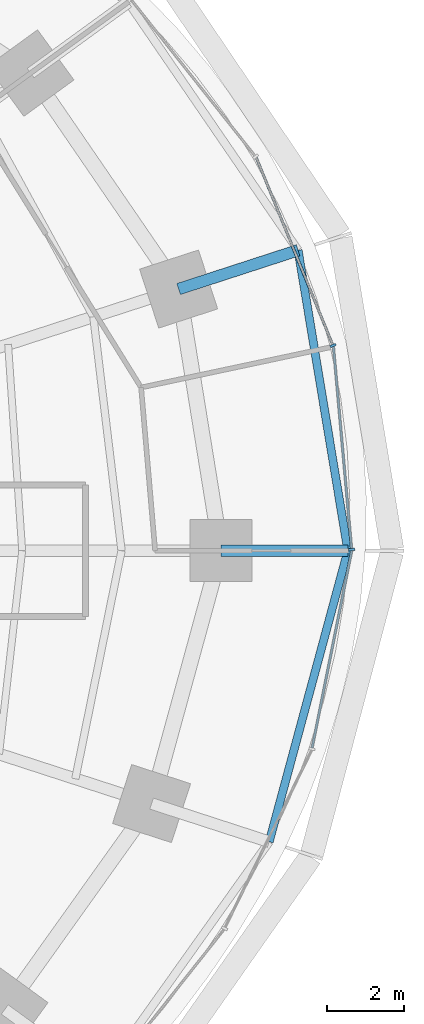
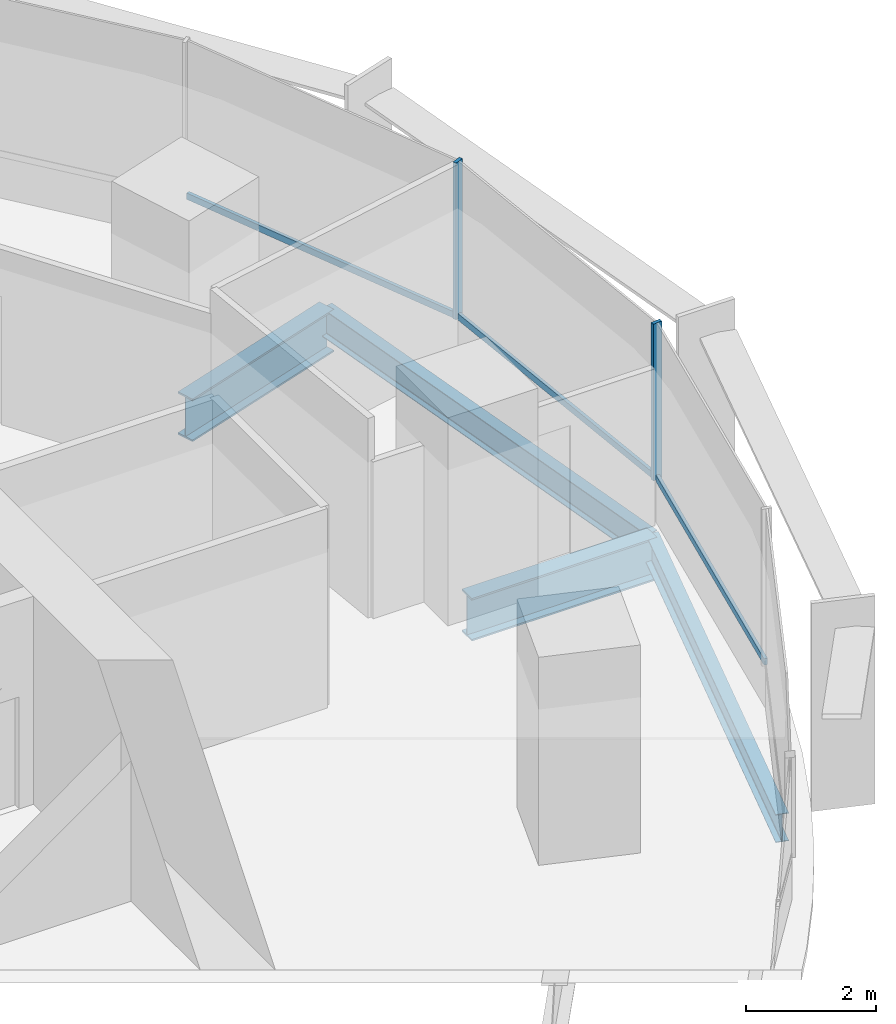
# One storey, part 6 of 14: 5 members, 4 beams, 2 elements without a shape of their own.
"""IFC4 building model written with IfcOpenShell, lengths in metres."""

from ifc_helpers import new_model, si_unit, direction, frame, origin, origin_2d, place, context, subcontext, project, spatial, rectangle, i_section, extrude, material, material_profile, profile_set, type_object, element, aggregate, save


model = new_model("IFC4")

# Units and contexts
model_context = context("Model", 3, precision=1e-05, world=origin(), true_north=direction((0.0, 1.0)))
body_context = subcontext(model_context, "Body", "Model", "MODEL_VIEW")
ifc_project = project(units=[si_unit("LENGTHUNIT", "METRE"), si_unit("AREAUNIT", "SQUARE_METRE"), si_unit("VOLUMEUNIT", "CUBIC_METRE"), si_unit("PLANEANGLEUNIT", "RADIAN"), si_unit("MASSUNIT", "GRAM", prefix="KILO")], contexts=[model_context])

# Site, building, storey
site_placement = place(None, origin())
site = spatial("IfcSite", under=ifc_project, at=site_placement, CompositionType="ELEMENT")
building_placement = place(site_placement, origin())
building = spatial("IfcBuilding", under=site, at=building_placement, Name="Marramba Exchange Tower", CompositionType="ELEMENT")
storey_placement = place(building_placement, frame((0.0, 0.0, 100.199951171875)))
storey = spatial("IfcBuildingStorey", under=building, at=storey_placement, Name="L23", CompositionType="ELEMENT", Elevation=100.199951171875)

# Beams
ifc_material_1 = material(Name="Steel AS/NZS 3679.2 grade 300", Category="steel")
ifc_material_profile_1 = material_profile(ifc_material_1, i_section(OverallWidth=0.300048828125, OverallDepth=0.800048828125, WebThickness=0.013916015625, FlangeThickness=0.031982421875, at=origin_2d()), Name="800WB192")
ifc_profile_set_1 = profile_set([ifc_material_profile_1], Name="Steel AS/NZS 3679.2 grade 300")
beam_type_1 = type_object("IfcBeamType", Name="Cantilever girder 800WB192", PredefinedType="BEAM", material=ifc_profile_set_1)
beam_1_placement = place(storey_placement, frame((21.89990234375, 0.0, -0.56005859375), z_axis=(1.0, 0.0, 0.0), x_axis=(0.0, 1.0, 0.0)))
element("IfcBeam", 1, at=beam_1_placement, inside=storey, type_object=beam_type_1, Name="Cantilever girder L23 TC01", PredefinedType="BEAM", context=body_context, shape_type="SweptSolid", body=[
    extrude(i_section(OverallWidth=0.300048828125, OverallDepth=0.800048828125, WebThickness=0.013916015625, FlangeThickness=0.031982421875, at=origin_2d()), origin(), (0.0, 0.0, 1.0), 3.281982421875),
])
beam_2_placement = place(storey_placement, frame((20.808349609375, 6.760986328125, -0.56005859375), z_axis=(0.95105562578, 0.309019735087, 0.0), x_axis=(-0.309019735087, 0.95105562578, 0.0)))
element("IfcBeam", 2, at=beam_2_placement, inside=storey, type_object=beam_type_1, Name="Cantilever girder L23 TC02", PredefinedType="BEAM", context=body_context, shape_type="SweptSolid", body=[
    extrude(i_section(OverallWidth=0.300048828125, OverallDepth=0.800048828125, WebThickness=0.013916015625, FlangeThickness=0.031982421875, at=origin_2d()), origin(), (0.0, 0.0, 1.0), 3.24560546875),
])

# Curtain wall, members
ifc_material_2 = material(Name="Aluminium framing, bronze anodised", Category="aluminium")
curtain_wall_type = type_object("IfcCurtainWallType", Name="Office ribbon curtain wall", PredefinedType="USERDEFINED", material=ifc_material_2)
curtain_wall_1_placement = place(storey_placement, origin())
curtain_wall_1 = element("IfcCurtainWall", 3, at=curtain_wall_1_placement, inside=storey, type_object=curtain_wall_type, Name="Curtain wall CW4 L23 F01-F05", ObjectType="RIBBON CURTAIN WALL", PredefinedType="USERDEFINED")
ifc_material_3 = material(Name="Aluminium mullion, bronze anodised", Category="aluminium")
ifc_material_profile_2 = material_profile(ifc_material_3, rectangle(XDim=0.159912109375, YDim=0.06005859375, at=origin_2d()), Name="CW4 mullion 60x160")
ifc_profile_set_2 = profile_set([ifc_material_profile_2], Name="Aluminium mullion, bronze anodised")
member_type_1 = type_object("IfcMemberType", Name="Office ribbon curtain wall mullion", PredefinedType="MULLION", material=ifc_profile_set_2)
member_1_placement = place(storey_placement, frame((25.279296875, 0.02978515625, 0.800048828125), z_axis=(0.0, 0.0, 1.0), x_axis=(-0.995994646311, -0.089412887889, 0.0)))
member_1 = element("IfcMember", 4, at=member_1_placement, type_object=member_type_1, Name="CW4 mullion 1", PredefinedType="MULLION", context=body_context, shape_type="SweptSolid", body=[
    extrude(rectangle(XDim=0.159912109375, YDim=0.06005859375, at=origin_2d()), origin(), (0.0, 0.0, 1.0), 2.93994140625),
])
member_2_placement = place(storey_placement, frame((24.79736328125, 5.301025390625, 0.800048828125), z_axis=(0.0, 0.0, 1.0), x_axis=(-0.925878584668, -0.377821183171, 0.0)))
member_2 = element("IfcMember", 5, at=member_2_placement, type_object=member_type_1, Name="CW4 mullion 1", PredefinedType="MULLION", context=body_context, shape_type="SweptSolid", body=[
    extrude(rectangle(XDim=0.159912109375, YDim=0.06005859375, at=origin_2d()), origin(), (0.0, 0.0, 1.0), 2.93994140625),
])
ifc_material_4 = material(Name="Aluminium transom, bronze anodised", Category="aluminium")
ifc_material_profile_3 = material_profile(ifc_material_4, rectangle(XDim=0.06005859375, YDim=0.1201171875, at=origin_2d()), Name="CW4 transom 60x120")
ifc_profile_set_3 = profile_set([ifc_material_profile_3], Name="Aluminium transom, bronze anodised")
member_type_2 = type_object("IfcMemberType", Name="Office ribbon curtain wall transom", PredefinedType="USERDEFINED", material=ifc_profile_set_3)
member_3_placement = place(storey_placement, frame((25.276611328125, 0.059814453125, 0.830078125), z_axis=(-0.089412838135, 0.995994650777, 0.0), x_axis=(-0.995994650777, -0.089412838135, 0.0)))
member_3 = element("IfcMember", 6, at=member_3_placement, type_object=member_type_2, Name="CW4 sill transom", ObjectType="TRANSOM", PredefinedType="USERDEFINED", context=body_context, shape_type="SweptSolid", body=[
    extrude(rectangle(XDim=0.06005859375, YDim=0.1201171875, at=origin_2d()), origin(), (0.0, 0.0, 1.0), 5.234375),
])
member_4_placement = place(storey_placement, frame((24.785888671875, 5.328857421875, 0.830078125), z_axis=(-0.377838039034, 0.925871706155, 0.0), x_axis=(-0.925871706155, -0.377838039034, 0.0)))
member_4 = element("IfcMember", 7, at=member_4_placement, type_object=member_type_2, Name="CW4 sill transom", ObjectType="TRANSOM", PredefinedType="USERDEFINED", context=body_context, shape_type="SweptSolid", body=[
    extrude(rectangle(XDim=0.06005859375, YDim=0.1201171875, at=origin_2d()), origin(), (0.0, 0.0, 1.0), 5.2158203125),
])
aggregate(curtain_wall_1, [member_1, member_3, member_2, member_4])

# Curtain wall, member
curtain_wall_2_placement = place(storey_placement, origin())
curtain_wall_2 = element("IfcCurtainWall", 8, at=curtain_wall_2_placement, inside=storey, type_object=curtain_wall_type, Name="Curtain wall CW4 L23 F26-F30", ObjectType="RIBBON CURTAIN WALL", PredefinedType="USERDEFINED")
member_5_placement = place(storey_placement, frame((24.258056640625, -5.094970703125, 0.830078125), z_axis=(0.197028520451, 0.980397757101, 0.0), x_axis=(-0.980397757101, 0.197028520451, 0.0)))
member_5 = element("IfcMember", 9, at=member_5_placement, type_object=member_type_2, Name="CW4 sill transom", ObjectType="TRANSOM", PredefinedType="USERDEFINED", context=body_context, shape_type="SweptSolid", body=[
    extrude(rectangle(XDim=0.06005859375, YDim=0.1201171875, at=origin_2d()), origin(), (0.0, 0.0, 1.0), 5.19677734375),
])
aggregate(curtain_wall_2, [member_5])

# Beams
ifc_material_5 = material(Name="Steel AS/NZS 3679.1 grade 300", Category="steel")
ifc_material_profile_4 = material_profile(ifc_material_5, i_section(OverallWidth=0.208984375, OverallDepth=0.528076171875, WebThickness=0.009521484375, FlangeThickness=0.01318359375, FilletRadius=0.013916015625, at=origin_2d()), Name="530UB82.0")
ifc_profile_set_4 = profile_set([ifc_material_profile_4], Name="Steel AS/NZS 3679.1 grade 300")
beam_type_2 = type_object("IfcBeamType", Name="Slab edge beam 530UB82.0", PredefinedType="SPANDREL", material=ifc_profile_set_4)
beam_3_placement = place(storey_placement, frame((25.181884765625, 0.0, -0.424072265625), z_axis=(-0.163518559175, 0.986540258076, 0.0), x_axis=(-0.986540258076, -0.163518559175, 0.0)))
element("IfcBeam", 10, at=beam_3_placement, inside=storey, type_object=beam_type_2, Name="Slab edge beam L23 TC01-TC02", PredefinedType="SPANDREL", context=body_context, shape_type="SweptSolid", body=[
    extrude(i_section(OverallWidth=0.208984375, OverallDepth=0.528076171875, WebThickness=0.009521484375, FlangeThickness=0.01318359375, FilletRadius=0.013916015625, at=origin_2d()), origin(), (0.0, 0.0, 1.0), 7.869873046875),
])
beam_4_placement = place(storey_placement, frame((23.148681640625, -7.521484375, -0.424072265625), z_axis=(0.260953221575, 0.965351446961, 0.0), x_axis=(-0.965351446961, 0.260953221575, 0.0)))
element("IfcBeam", 11, at=beam_4_placement, inside=storey, type_object=beam_type_2, Name="Slab edge beam L23 TC20-TC01", PredefinedType="SPANDREL", context=body_context, shape_type="SweptSolid", body=[
    extrude(i_section(OverallWidth=0.208984375, OverallDepth=0.528076171875, WebThickness=0.009521484375, FlangeThickness=0.01318359375, FilletRadius=0.013916015625, at=origin_2d()), origin(), (0.0, 0.0, 1.0), 7.79150390625),
])

save(model, "model.ifc")
